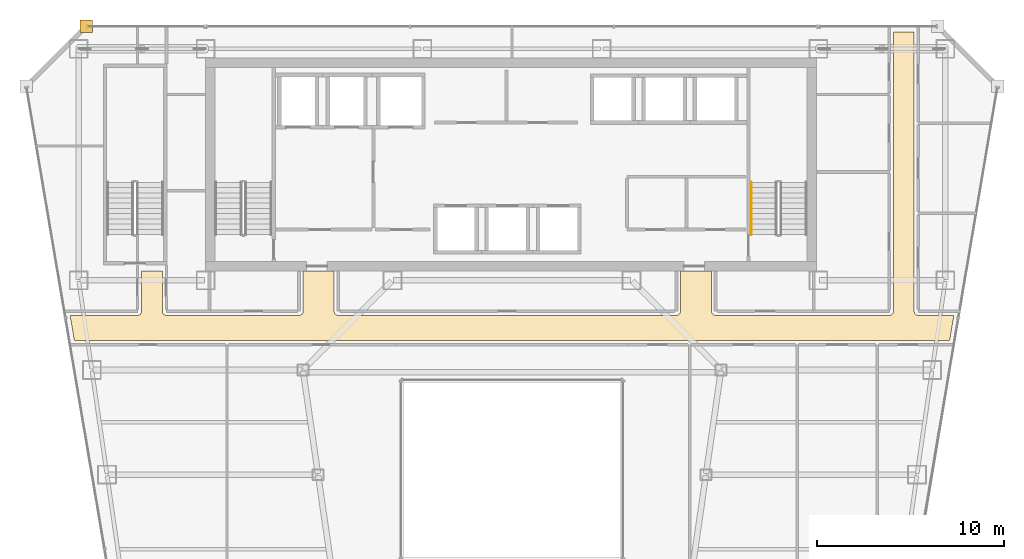
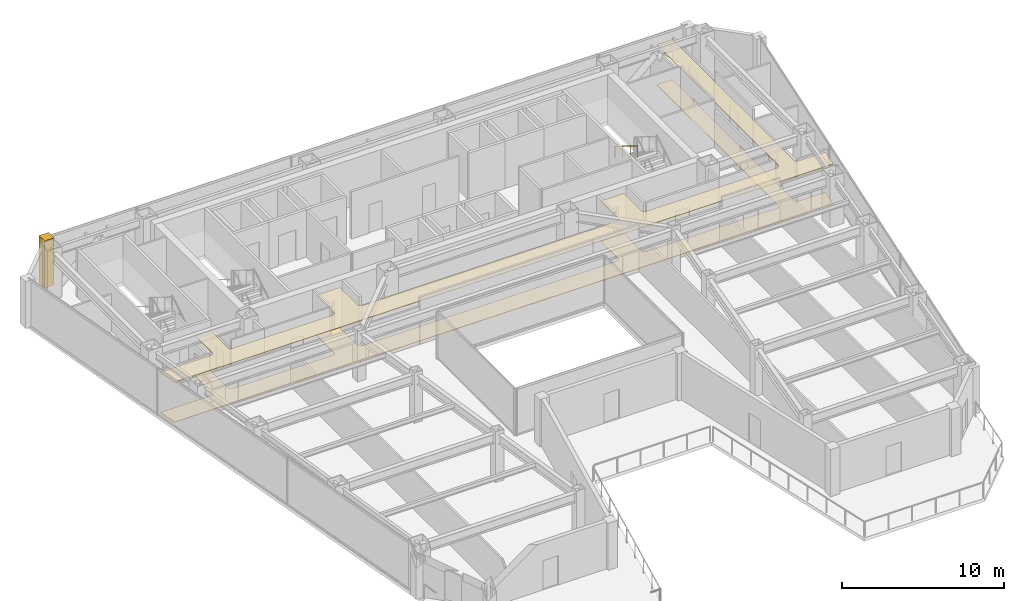
# One storey, part 30 of 31: 3 coverings, 1 railing.
"""IFC4 building model written with IfcOpenShell, lengths in metres."""

from ifc_helpers import new_model, si_unit, direction, frame, origin, origin_2d, place, context, subcontext, project, spatial, polyline, circle, outline, extrude, material, layer, layer_set, type_object, element, save


model = new_model("IFC4")

# Units and contexts
model_context = context("Model", 3, precision=1e-05, world=origin(), true_north=direction((0.0, 1.0)))
body_context = subcontext(model_context, "Body", "Model", "MODEL_VIEW")
ifc_project = project(units=[si_unit("LENGTHUNIT", "METRE"), si_unit("AREAUNIT", "SQUARE_METRE"), si_unit("VOLUMEUNIT", "CUBIC_METRE"), si_unit("PLANEANGLEUNIT", "RADIAN"), si_unit("MASSUNIT", "GRAM", prefix="KILO")], contexts=[model_context])

# Site, building, storey
site_placement = place(None, origin())
site = spatial("IfcSite", under=ifc_project, at=site_placement, CompositionType="ELEMENT")
building_placement = place(site_placement, origin())
building = spatial("IfcBuilding", under=site, at=building_placement, Name="Saevonmaru Cultural Tower", CompositionType="ELEMENT")
storey_placement = place(building_placement, frame((0.0, 0.0, 167.60009765625)))
storey = spatial("IfcBuildingStorey", under=building, at=storey_placement, Name="L37", CompositionType="ELEMENT", Elevation=167.60009765625)

# Coverings
ifc_material_1 = material(Name="Mineral Fibre Acoustic Ceiling", Category="gypsum")
ifc_layer_1 = layer(ifc_material_1, 0.044921875, Name="Mineral Fibre Acoustic Ceiling")
ifc_layer_set_1 = layer_set([ifc_layer_1], Name="Mineral Fibre Acoustic Ceiling")
covering_type_1 = type_object("IfcCoveringType", Name="CV-CEIL-ACOUSTIC", PredefinedType="CEILING", material=ifc_layer_set_1)
covering_1_placement = place(storey_placement, frame((0.0, 0.0, 3.0)))
element("IfcCovering", 1, at=covering_1_placement, inside=storey, type_object=covering_type_1, Name="L37 Corridor Acoustic Ceiling", PredefinedType="CEILING", context=body_context, shape_type="SweptSolid", body=[
    extrude(outline(polyline([(6.571044921875, 39.169921875), (6.341064453125, 40.530029296875), (9.949951171875, 40.530029296875), (9.971923828125, 40.531005859375), (9.992919921875, 40.533935546875), (10.013916015625, 40.5390625), (10.033935546875, 40.547119140625), (10.053955078125, 40.555908203125), (10.072021484375, 40.56689453125), (10.090087890625, 40.580078125), (10.10595703125, 40.593994140625), (10.1201171875, 40.610107421875), (10.133056640625, 40.6279296875), (10.14404296875, 40.64599609375), (10.153076171875, 40.666015625), (10.160888671875, 40.68603515625), (10.166015625, 40.70703125), (10.1689453125, 40.72802734375), (10.169921875, 40.75), (10.169921875, 42.889892578125), (11.280029296875, 42.889892578125), (11.280029296875, 40.75), (11.281005859375, 40.72802734375), (11.283935546875, 40.70703125), (11.2890625, 40.68603515625), (11.297119140625, 40.666015625), (11.305908203125, 40.64599609375), (11.31689453125, 40.6279296875), (11.330078125, 40.610107421875), (11.343994140625, 40.593994140625), (11.360107421875, 40.580078125), (11.3779296875, 40.56689453125), (11.39599609375, 40.555908203125), (11.416015625, 40.547119140625), (11.43603515625, 40.5390625), (11.45703125, 40.533935546875), (11.47802734375, 40.531005859375), (11.5, 40.530029296875), (18.60009765625, 40.530029296875), (18.6220703125, 40.531005859375), (18.64306640625, 40.533935546875), (18.6640625, 40.5390625), (18.68408203125, 40.547119140625), (18.7041015625, 40.555908203125), (18.721923828125, 40.56689453125), (18.739990234375, 40.580078125), (18.756103515625, 40.593994140625), (18.77001953125, 40.610107421875), (18.782958984375, 40.6279296875), (18.7939453125, 40.64599609375), (18.802978515625, 40.666015625), (18.81103515625, 40.68603515625), (18.81591796875, 40.70703125), (18.819091796875, 40.72802734375), (18.820068359375, 40.75), (18.820068359375, 42.889892578125), (20.47998046875, 42.889892578125), (20.47998046875, 40.75), (20.48095703125, 40.72802734375), (20.48388671875, 40.70703125), (20.489013671875, 40.68603515625), (20.4970703125, 40.666015625), (20.506103515625, 40.64599609375), (20.51708984375, 40.6279296875), (20.530029296875, 40.610107421875), (20.5439453125, 40.593994140625), (20.56005859375, 40.580078125), (20.577880859375, 40.56689453125), (20.595947265625, 40.555908203125), (20.615966796875, 40.547119140625), (20.635986328125, 40.5390625), (20.656982421875, 40.533935546875), (20.677978515625, 40.531005859375), (20.699951171875, 40.530029296875), (38.800048828125, 40.530029296875), (38.822021484375, 40.531005859375), (38.843017578125, 40.533935546875), (38.864013671875, 40.5390625), (38.884033203125, 40.547119140625), (38.904052734375, 40.555908203125), (38.922119140625, 40.56689453125), (38.93994140625, 40.580078125), (38.9560546875, 40.593994140625), (38.969970703125, 40.610107421875), (38.98291015625, 40.6279296875), (38.993896484375, 40.64599609375), (39.0029296875, 40.666015625), (39.010986328125, 40.68603515625), (39.01611328125, 40.70703125), (39.01904296875, 40.72802734375), (39.02001953125, 40.75), (39.02001953125, 42.889892578125), (40.679931640625, 42.889892578125), (40.679931640625, 40.75), (40.680908203125, 40.72802734375), (40.68408203125, 40.70703125), (40.68896484375, 40.68603515625), (40.697021484375, 40.666015625), (40.7060546875, 40.64599609375), (40.717041015625, 40.6279296875), (40.72998046875, 40.610107421875), (40.743896484375, 40.593994140625), (40.760009765625, 40.580078125), (40.778076171875, 40.56689453125), (40.7958984375, 40.555908203125), (40.81591796875, 40.547119140625), (40.8359375, 40.5390625), (40.85693359375, 40.533935546875), (40.8779296875, 40.531005859375), (40.89990234375, 40.530029296875), (50.199951171875, 40.530029296875), (50.221923828125, 40.531005859375), (50.242919921875, 40.533935546875), (50.263916015625, 40.5390625), (50.283935546875, 40.547119140625), (50.303955078125, 40.555908203125), (50.322021484375, 40.56689453125), (50.340087890625, 40.580078125), (50.35595703125, 40.593994140625), (50.3701171875, 40.610107421875), (50.383056640625, 40.6279296875), (50.39404296875, 40.64599609375), (50.403076171875, 40.666015625), (50.410888671875, 40.68603515625), (50.416015625, 40.70703125), (50.4189453125, 40.72802734375), (50.419921875, 40.75), (50.419921875, 55.699951171875), (51.530029296875, 55.699951171875), (51.530029296875, 40.75), (51.531005859375, 40.72802734375), (51.533935546875, 40.70703125), (51.5390625, 40.68603515625), (51.547119140625, 40.666015625), (51.555908203125, 40.64599609375), (51.56689453125, 40.6279296875), (51.580078125, 40.610107421875), (51.593994140625, 40.593994140625), (51.610107421875, 40.580078125), (51.6279296875, 40.56689453125), (51.64599609375, 40.555908203125), (51.666015625, 40.547119140625), (51.68603515625, 40.5390625), (51.70703125, 40.533935546875), (51.72802734375, 40.531005859375), (51.75, 40.530029296875), (53.658935546875, 40.530029296875), (53.428955078125, 39.169921875), (6.571044921875, 39.169921875)])), origin(), (0.0, 0.0, 1.0), 0.044921875),
])
ifc_material_2 = material(Name="Satin Bronze Anodised Aluminium", Category="aluminium")
ifc_layer_2 = layer(ifc_material_2, 0.679931640625, Name="Satin Bronze Anodised Aluminium")
ifc_layer_set_2 = layer_set([ifc_layer_2], Name="Satin Bronze Anodised Aluminium")
covering_type_2 = type_object("IfcCoveringType", Name="CV-CORNER-CLAD", PredefinedType="CLADDING", material=ifc_layer_set_2)
covering_2_placement = place(storey_placement, origin())
element("IfcCovering", 2, at=covering_2_placement, inside=storey, type_object=covering_type_2, Name="L37 Tower Bronze Corner Cladding Pier 11", PredefinedType="CLADDING", context=body_context, shape_type="SweptSolid", body=[
    extrude(outline(polyline([(6.860107421875, 55.659912109375), (7.5400390625, 55.659912109375), (7.5400390625, 56.340087890625), (6.860107421875, 56.340087890625), (6.860107421875, 55.659912109375)])), origin(), (0.0, 0.0, 1.0), 3.5498046875),
])
ifc_material_3 = material(Name="Honed Granite Terrazzo", Category="masonry")
ifc_layer_3 = layer(ifc_material_3, 0.030029296875, Name="Honed Granite Terrazzo")
ifc_layer_set_3 = layer_set([ifc_layer_3], Name="Honed Granite Terrazzo")
covering_type_3 = type_object("IfcCoveringType", Name="CV-FLR-TERRAZZO", PredefinedType="FLOORING", material=ifc_layer_set_3)
covering_3_placement = place(storey_placement, origin())
element("IfcCovering", 3, at=covering_3_placement, inside=storey, type_object=covering_type_3, Name="L37 Corridor Terrazzo Flooring", PredefinedType="FLOORING", context=body_context, shape_type="SweptSolid", body=[
    extrude(outline(polyline([(6.571044921875, 39.169921875), (6.341064453125, 40.530029296875), (9.949951171875, 40.530029296875), (9.971923828125, 40.531005859375), (9.992919921875, 40.533935546875), (10.013916015625, 40.5390625), (10.033935546875, 40.547119140625), (10.053955078125, 40.555908203125), (10.072021484375, 40.56689453125), (10.090087890625, 40.580078125), (10.10595703125, 40.593994140625), (10.1201171875, 40.610107421875), (10.133056640625, 40.6279296875), (10.14404296875, 40.64599609375), (10.153076171875, 40.666015625), (10.160888671875, 40.68603515625), (10.166015625, 40.70703125), (10.1689453125, 40.72802734375), (10.169921875, 40.75), (10.169921875, 42.889892578125), (11.280029296875, 42.889892578125), (11.280029296875, 40.75), (11.281005859375, 40.72802734375), (11.283935546875, 40.70703125), (11.2890625, 40.68603515625), (11.297119140625, 40.666015625), (11.305908203125, 40.64599609375), (11.31689453125, 40.6279296875), (11.330078125, 40.610107421875), (11.343994140625, 40.593994140625), (11.360107421875, 40.580078125), (11.3779296875, 40.56689453125), (11.39599609375, 40.555908203125), (11.416015625, 40.547119140625), (11.43603515625, 40.5390625), (11.45703125, 40.533935546875), (11.47802734375, 40.531005859375), (11.5, 40.530029296875), (18.60009765625, 40.530029296875), (18.6220703125, 40.531005859375), (18.64306640625, 40.533935546875), (18.6640625, 40.5390625), (18.68408203125, 40.547119140625), (18.7041015625, 40.555908203125), (18.721923828125, 40.56689453125), (18.739990234375, 40.580078125), (18.756103515625, 40.593994140625), (18.77001953125, 40.610107421875), (18.782958984375, 40.6279296875), (18.7939453125, 40.64599609375), (18.802978515625, 40.666015625), (18.81103515625, 40.68603515625), (18.81591796875, 40.70703125), (18.819091796875, 40.72802734375), (18.820068359375, 40.75), (18.820068359375, 42.889892578125), (20.47998046875, 42.889892578125), (20.47998046875, 40.75), (20.48095703125, 40.72802734375), (20.48388671875, 40.70703125), (20.489013671875, 40.68603515625), (20.4970703125, 40.666015625), (20.506103515625, 40.64599609375), (20.51708984375, 40.6279296875), (20.530029296875, 40.610107421875), (20.5439453125, 40.593994140625), (20.56005859375, 40.580078125), (20.577880859375, 40.56689453125), (20.595947265625, 40.555908203125), (20.615966796875, 40.547119140625), (20.635986328125, 40.5390625), (20.656982421875, 40.533935546875), (20.677978515625, 40.531005859375), (20.699951171875, 40.530029296875), (38.800048828125, 40.530029296875), (38.822021484375, 40.531005859375), (38.843017578125, 40.533935546875), (38.864013671875, 40.5390625), (38.884033203125, 40.547119140625), (38.904052734375, 40.555908203125), (38.922119140625, 40.56689453125), (38.93994140625, 40.580078125), (38.9560546875, 40.593994140625), (38.969970703125, 40.610107421875), (38.98291015625, 40.6279296875), (38.993896484375, 40.64599609375), (39.0029296875, 40.666015625), (39.010986328125, 40.68603515625), (39.01611328125, 40.70703125), (39.01904296875, 40.72802734375), (39.02001953125, 40.75), (39.02001953125, 42.889892578125), (40.679931640625, 42.889892578125), (40.679931640625, 40.75), (40.680908203125, 40.72802734375), (40.68408203125, 40.70703125), (40.68896484375, 40.68603515625), (40.697021484375, 40.666015625), (40.7060546875, 40.64599609375), (40.717041015625, 40.6279296875), (40.72998046875, 40.610107421875), (40.743896484375, 40.593994140625), (40.760009765625, 40.580078125), (40.778076171875, 40.56689453125), (40.7958984375, 40.555908203125), (40.81591796875, 40.547119140625), (40.8359375, 40.5390625), (40.85693359375, 40.533935546875), (40.8779296875, 40.531005859375), (40.89990234375, 40.530029296875), (50.199951171875, 40.530029296875), (50.221923828125, 40.531005859375), (50.242919921875, 40.533935546875), (50.263916015625, 40.5390625), (50.283935546875, 40.547119140625), (50.303955078125, 40.555908203125), (50.322021484375, 40.56689453125), (50.340087890625, 40.580078125), (50.35595703125, 40.593994140625), (50.3701171875, 40.610107421875), (50.383056640625, 40.6279296875), (50.39404296875, 40.64599609375), (50.403076171875, 40.666015625), (50.410888671875, 40.68603515625), (50.416015625, 40.70703125), (50.4189453125, 40.72802734375), (50.419921875, 40.75), (50.419921875, 55.699951171875), (51.530029296875, 55.699951171875), (51.530029296875, 40.75), (51.531005859375, 40.72802734375), (51.533935546875, 40.70703125), (51.5390625, 40.68603515625), (51.547119140625, 40.666015625), (51.555908203125, 40.64599609375), (51.56689453125, 40.6279296875), (51.580078125, 40.610107421875), (51.593994140625, 40.593994140625), (51.610107421875, 40.580078125), (51.6279296875, 40.56689453125), (51.64599609375, 40.555908203125), (51.666015625, 40.547119140625), (51.68603515625, 40.5390625), (51.70703125, 40.533935546875), (51.72802734375, 40.531005859375), (51.75, 40.530029296875), (53.658935546875, 40.530029296875), (53.428955078125, 39.169921875), (6.571044921875, 39.169921875)])), origin(), (0.0, 0.0, 1.0), 0.02978515625),
])

# Railing
railing_type = type_object("IfcRailingType", Name="RL-STAIR-HANDRAIL", PredefinedType="HANDRAIL", material=ifc_material_2)
railing_placement = place(storey_placement, frame((42.800048828125, 47.64990234375, 2.072509765625)))
element("IfcRailing", 4, at=railing_placement, inside=storey, type_object=railing_type, Name="L37 ST-2 stair handrail 2", PredefinedType="HANDRAIL", context=body_context, shape_type="SweptSolid", body=[
    extrude(circle(Radius=0.02392578125, at=origin_2d()), frame((0.0, 0.0, 0.8759765625), z_axis=(0.0, -0.851069175582, 0.525053576669), x_axis=(1.0, 0.0, 0.0)), (0.0, 0.0, 1.0), 3.289794921875),
    extrude(circle(Radius=0.02099609375, at=origin_2d()), origin(), (0.0, 0.0, 1.0), 0.851806640625),
    extrude(circle(Radius=0.02099609375, at=origin_2d()), frame((0.0, -0.933349609375, 0.57568359375)), (0.0, 0.0, 1.0), 0.851806640625),
    extrude(circle(Radius=0.02099609375, at=origin_2d()), frame((0.0, -1.866455078125, 1.151611328125)), (0.0, 0.0, 1.0), 0.851806640625),
    extrude(circle(Radius=0.02099609375, at=origin_2d()), frame((0.0, -2.7998046875, 1.727294921875)), (0.0, 0.0, 1.0), 0.851806640625),
])

save(model, "model.ifc")
